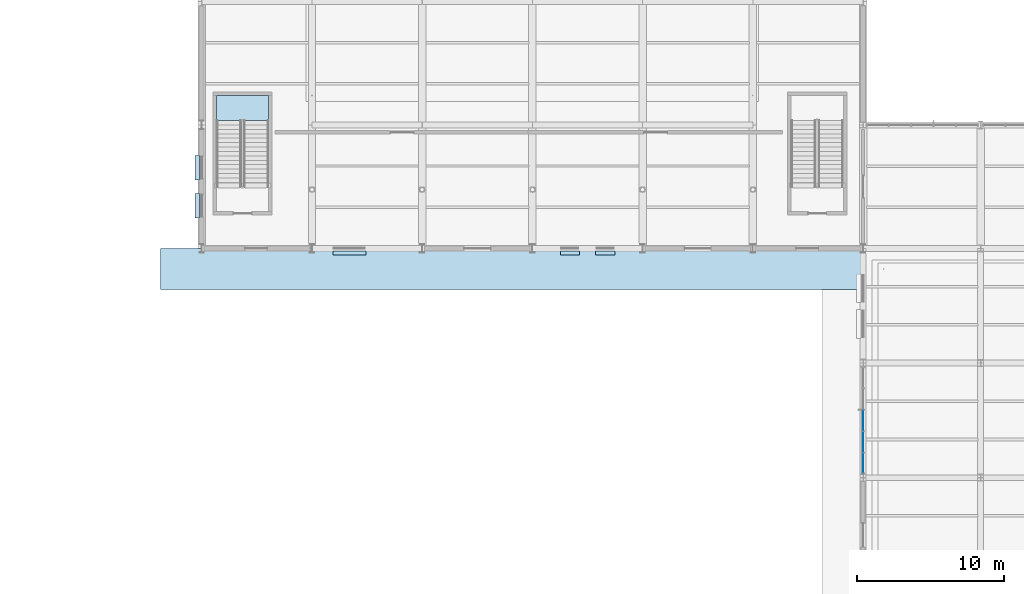
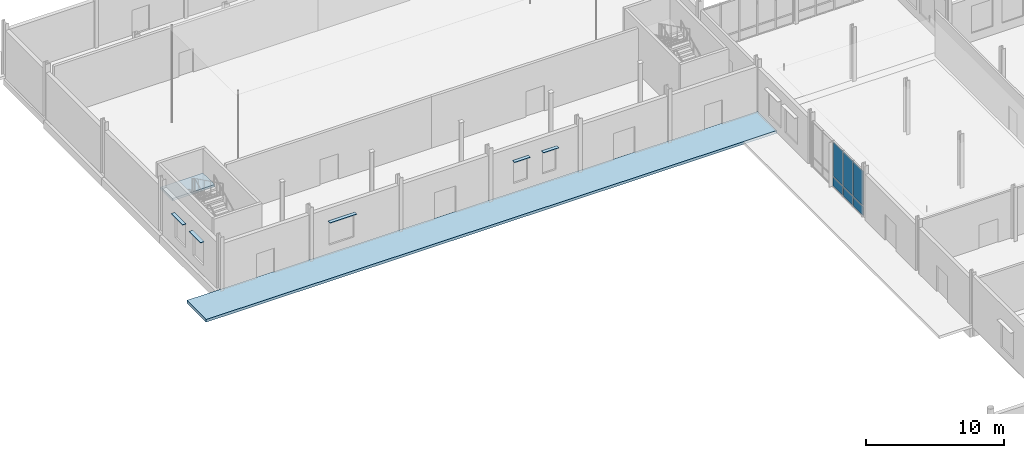
# One storey, part 45 of 82: 11 plates, 2 slabs, 2 elements without a shape of their own.
"""IFC4 building model written with IfcOpenShell, lengths in metres."""

from ifc_helpers import new_model, si_unit, direction, frame, origin, origin_2d, place, context, subcontext, project, spatial, polyline, rectangle, outline, extrude, material, layer, layer_set, type_object, element, aggregate, save


model = new_model("IFC4")

# Units and contexts
model_context = context("Model", 3, precision=1e-05, world=origin(), true_north=direction((0.0, 1.0)))
body_context = subcontext(model_context, "Body", "Model", "MODEL_VIEW")
ifc_project = project(units=[si_unit("LENGTHUNIT", "METRE"), si_unit("AREAUNIT", "SQUARE_METRE"), si_unit("VOLUMEUNIT", "CUBIC_METRE"), si_unit("PLANEANGLEUNIT", "RADIAN"), si_unit("MASSUNIT", "GRAM", prefix="KILO")], contexts=[model_context])

# Site, building, storey
site_placement = place(None, origin())
site = spatial("IfcSite", under=ifc_project, at=site_placement, CompositionType="ELEMENT")
building_placement = place(site_placement, origin())
building = spatial("IfcBuilding", under=site, at=building_placement, Name="Yukiwa Park Conservatory and Herbarium", CompositionType="ELEMENT")
storey_placement = place(building_placement, origin())
storey = spatial("IfcBuildingStorey", under=building, at=storey_placement, Name="L00", CompositionType="ELEMENT", Elevation=0.0)

# Curtain wall, plates
ifc_material_1 = material(Name="Triple Low-E Insulated Glass", Category="glass")
ifc_layer_1 = layer(ifc_material_1, 0.199951171875)
ifc_layer_set_1 = layer_set([ifc_layer_1], Name="Triple Low-E Insulated Glass")
curtain_wall_type = type_object("IfcCurtainWallType", Name="CW-VISITOR-1600", PredefinedType="NOTDEFINED", material=ifc_layer_set_1)
curtain_wall_placement = place(storey_placement, origin())
curtain_wall = element("IfcCurtainWall", 1, at=curtain_wall_placement, inside=storey, type_object=curtain_wall_type, Name="L00 unitised curtain wall CW-L00-017", PredefinedType="NOTDEFINED")
ifc_material_2 = material(Name="Triple Low-E Insulated Glass", Category="glass")
ifc_layer_2 = layer(ifc_material_2, 0.035888671875)
ifc_layer_set_2 = layer_set([ifc_layer_2], Name="Triple Low-E Insulated Glass")
plate_type_1 = type_object("IfcPlateType", Name="PL-CW-GLZ-36", PredefinedType="CURTAIN_PANEL", material=ifc_layer_set_2)
plate_1_placement = place(storey_placement, frame((60.0, 66.300048828125, 0.93994140625), z_axis=(0.0, 0.0, 1.0), x_axis=(0.0, -1.0, 0.0)))
plate_1 = element("IfcPlate", 2, at=plate_1_placement, type_object=plate_type_1, Name="CW-L00-017 vision panel 3.2", PredefinedType="CURTAIN_PANEL", context=body_context, shape_type="SweptSolid", body=[
    extrude(rectangle(XDim=1.38232421875, YDim=0.035888671875, at=origin_2d()), origin(), (0.0, 0.0, 1.0), 3.0458984375),
])
plate_2_placement = place(storey_placement, frame((60.0, 64.837646484375, 0.93994140625), z_axis=(0.0, 0.0, 1.0), x_axis=(0.0, -1.0, 0.0)))
plate_2 = element("IfcPlate", 3, at=plate_2_placement, type_object=plate_type_1, Name="CW-L00-017 vision panel 4.2", PredefinedType="CURTAIN_PANEL", context=body_context, shape_type="SweptSolid", body=[
    extrude(rectangle(XDim=1.38232421875, YDim=0.035888671875, at=origin_2d()), origin(), (0.0, 0.0, 1.0), 3.0458984375),
])
plate_3_placement = place(storey_placement, frame((60.0, 63.375244140625, 0.93994140625), z_axis=(0.0, 0.0, 1.0), x_axis=(0.0, -1.0, 0.0)))
plate_3 = element("IfcPlate", 4, at=plate_3_placement, type_object=plate_type_1, Name="CW-L00-017 vision panel 5.2", PredefinedType="CURTAIN_PANEL", context=body_context, shape_type="SweptSolid", body=[
    extrude(rectangle(XDim=1.38232421875, YDim=0.035888671875, at=origin_2d()), origin(), (0.0, 0.0, 1.0), 3.0458984375),
])
ifc_material_3 = material(Name="Anodised Aluminium", Category="aluminium")
ifc_layer_3 = layer(ifc_material_3, 0.044921875)
ifc_layer_set_3 = layer_set([ifc_layer_3], Name="Anodised Aluminium")
plate_type_2 = type_object("IfcPlateType", Name="PL-CW-SPN-45", PredefinedType="CURTAIN_PANEL", material=ifc_layer_set_3)
plate_4_placement = place(storey_placement, frame((60.0, 66.300048828125, 0.080078125), z_axis=(0.0, 0.0, 1.0), x_axis=(0.0, -1.0, 0.0)))
plate_4 = element("IfcPlate", 5, at=plate_4_placement, type_object=plate_type_2, Name="CW-L00-017 spandrel panel 3.1", PredefinedType="CURTAIN_PANEL", context=body_context, shape_type="SweptSolid", body=[
    extrude(rectangle(XDim=1.38232421875, YDim=0.044921875, at=origin_2d()), origin(), (0.0, 0.0, 1.0), 0.780029296875),
])
plate_5_placement = place(storey_placement, frame((60.0, 64.837646484375, 0.080078125), z_axis=(0.0, 0.0, 1.0), x_axis=(0.0, -1.0, 0.0)))
plate_5 = element("IfcPlate", 6, at=plate_5_placement, type_object=plate_type_2, Name="CW-L00-017 spandrel panel 4.1", PredefinedType="CURTAIN_PANEL", context=body_context, shape_type="SweptSolid", body=[
    extrude(rectangle(XDim=1.38232421875, YDim=0.044921875, at=origin_2d()), origin(), (0.0, 0.0, 1.0), 0.780029296875),
])
plate_6_placement = place(storey_placement, frame((60.0, 63.375244140625, 0.080078125), z_axis=(0.0, 0.0, 1.0), x_axis=(0.0, -1.0, 0.0)))
plate_6 = element("IfcPlate", 7, at=plate_6_placement, type_object=plate_type_2, Name="CW-L00-017 spandrel panel 5.1", PredefinedType="CURTAIN_PANEL", context=body_context, shape_type="SweptSolid", body=[
    extrude(rectangle(XDim=1.38232421875, YDim=0.044921875, at=origin_2d()), origin(), (0.0, 0.0, 1.0), 0.780029296875),
])
aggregate(curtain_wall, [plate_4, plate_1, plate_5, plate_2, plate_6, plate_3])

# Plates
ifc_material_4 = material(Name="Anodised Aluminium", Category="aluminium")
ifc_layer_4 = layer(ifc_material_4, 0.0400390625)
ifc_layer_set_4 = layer_set([ifc_layer_4], Name="Anodised Aluminium")
plate_type_3 = type_object("IfcPlateType", Name="PL-SHADE-ALU-40", PredefinedType="SHEET", material=ifc_layer_set_4)
for number, where, z_axis, x_axis, name in (
    (8, (14.68994140625, 83.501953125, 2.989990234375), (0.0, 0.0, 1.0), (0.0, -1.0, 0.0), "L00 snow-shedding window hood 17"),
    (9, (14.68994140625, 80.89794921875, 2.989990234375), (0.0, 0.0, 1.0), (0.0, -1.0, 0.0), "L00 snow-shedding window hood 18"),
):
    element("IfcPlate", number, at=place(storey_placement, frame(where, z_axis=z_axis, x_axis=x_axis)), inside=storey, type_object=plate_type_3, Name=name, PredefinedType="SHEET", context=body_context, shape_type="SweptSolid", body=[
        extrude(rectangle(XDim=1.659912109375, YDim=0.300048828125, at=origin_2d()), origin(), (0.0, 0.0, 1.0), 0.0400390625),
    ])
plate_7_placement = place(storey_placement, frame((25.050048828125, 77.68994140625, 2.989990234375), z_axis=(0.0, 0.0, 1.0), x_axis=(1.0, 0.0, 0.0)))
element("IfcPlate", 10, at=plate_7_placement, inside=storey, type_object=plate_type_3, Name="L00 snow-shedding window hood 19", PredefinedType="SHEET", context=body_context, shape_type="SweptSolid", body=[
    extrude(rectangle(XDim=2.260009765625, YDim=0.300048828125, at=origin_2d()), origin(), (0.0, 0.0, 1.0), 0.0400390625),
])
for number, where, z_axis, x_axis, name in (
    (11, (40.050048828125, 77.68994140625, 2.93994140625), (0.0, 0.0, 1.0), (1.0, 0.0, 0.0), "L00 snow-shedding window hood 20"),
    (12, (42.449951171875, 77.68994140625, 2.93994140625), (0.0, 0.0, 1.0), (1.0, 0.0, 0.0), "L00 snow-shedding window hood 21"),
):
    element("IfcPlate", number, at=place(storey_placement, frame(where, z_axis=z_axis, x_axis=x_axis)), inside=storey, type_object=plate_type_3, Name=name, PredefinedType="SHEET", context=body_context, shape_type="SweptSolid", body=[
        extrude(rectangle(XDim=1.31005859375, YDim=0.300048828125, at=origin_2d()), origin(), (0.0, 0.0, 1.0), 0.0400390625),
    ])

# Slab
ifc_material_5 = material(Name="Concrete C35", Category="concrete")
ifc_layer_5 = layer(ifc_material_5, 0.239990234375)
ifc_layer_set_5 = layer_set([ifc_layer_5], Name="Concrete C35")
slab_type_1 = type_object("IfcSlabType", Name="SL-APRON-240", PredefinedType="FLOOR", material=ifc_layer_set_5)
slab_1_placement = place(storey_placement, frame((0.0, 0.0, -0.239990234375)))
element("IfcSlab", 13, at=slab_1_placement, inside=storey, type_object=slab_type_1, Name="West garden court link paving", PredefinedType="FLOOR", context=body_context, shape_type="SweptSolid", body=[
    extrude(outline(polyline([(12.199951171875, 75.199951171875), (60.0, 75.199951171875), (60.0, 78.0), (12.199951171875, 78.0), (12.199951171875, 75.199951171875)])), origin(), (0.0, 0.0, 1.0), 0.239990234375),
])

# Stair, slab
ifc_material_6 = material(Name="Concrete C40", Category="concrete")
stair_type = type_object("IfcStairType", Name="ST-DOGLEG-ST-A1", PredefinedType="HALF_TURN_STAIR", material=ifc_material_6)
stair_placement = place(storey_placement, origin())
stair = element("IfcStair", 14, at=stair_placement, inside=storey, type_object=stair_type, Name="L00 Auditorium West Exit Stair ST-A1", PredefinedType="HALF_TURN_STAIR")
ifc_material_7 = material(Name="Concrete C40", Category="concrete")
ifc_layer_6 = layer(ifc_material_7, 0.199951171875)
ifc_layer_set_6 = layer_set([ifc_layer_6], Name="Concrete C40")
slab_type_2 = type_object("IfcSlabType", Name="SL-LANDING-220", PredefinedType="LANDING", material=ifc_layer_set_6)
slab_2_placement = place(storey_placement, frame((0.0, 0.0, 2.199951171875)))
slab_2 = element("IfcSlab", 15, at=slab_2_placement, type_object=slab_type_2, Name="ST-A1 landing 1", PredefinedType="LANDING", context=body_context, shape_type="SweptSolid", body=[
    extrude(outline(polyline([(19.550048828125, 86.699951171875), (19.550048828125, 88.39990234375), (16.0, 88.39990234375), (16.0, 86.699951171875), (19.550048828125, 86.699951171875)])), origin(), (0.0, 0.0, 1.0), 0.199951171875),
])
aggregate(stair, [slab_2])

save(model, "model.ifc")
